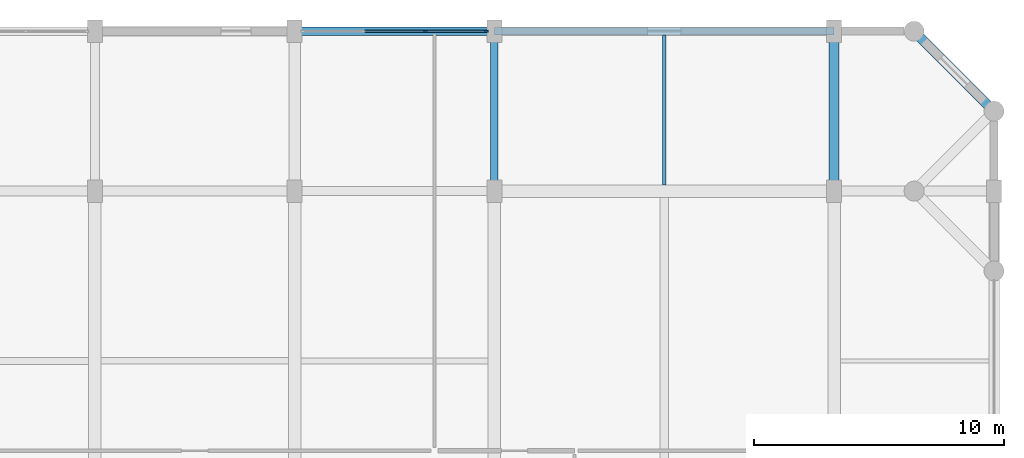
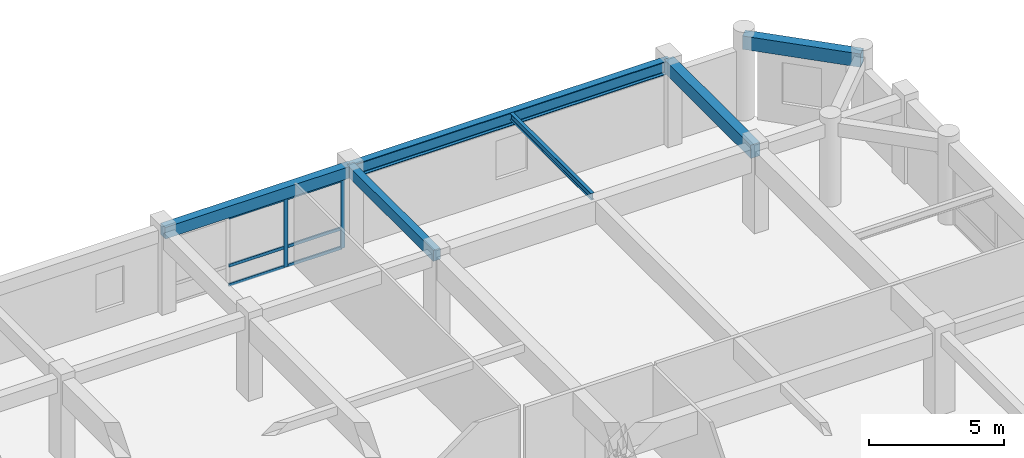
# One storey, part 15 of 27: 8 members, 6 beams, 1 element without a shape of its own.
"""IFC4 building model written with IfcOpenShell, lengths in metres."""

from ifc_helpers import new_model, si_unit, direction, frame, origin, origin_2d, place, context, subcontext, project, spatial, rectangle, i_section, extrude, material, material_profile, profile_set, type_object, element, aggregate, save


model = new_model("IFC4")

# Units and contexts
model_context = context("Model", 3, precision=1e-05, world=origin(), true_north=direction((0.0, 1.0)))
body_context = subcontext(model_context, "Body", "Model", "MODEL_VIEW")
ifc_project = project(units=[si_unit("LENGTHUNIT", "METRE"), si_unit("AREAUNIT", "SQUARE_METRE"), si_unit("VOLUMEUNIT", "CUBIC_METRE"), si_unit("PLANEANGLEUNIT", "RADIAN"), si_unit("MASSUNIT", "GRAM", prefix="KILO")], contexts=[model_context])

# Site, building, storey
site_placement = place(None, origin())
site = spatial("IfcSite", under=ifc_project, at=site_placement, CompositionType="ELEMENT")
building_placement = place(site_placement, origin())
building = spatial("IfcBuilding", under=site, at=building_placement, Name="Vellmiral Cinema and Media Centre", CompositionType="ELEMENT")
storey_placement = place(building_placement, frame((0.0, 0.0, 19.800048828125)))
storey = spatial("IfcBuildingStorey", under=building, at=storey_placement, Name="L04", CompositionType="ELEMENT", Elevation=19.800048828125)

# Beams
ifc_material_1 = material(Name="Concrete C40/50", Category="concrete")
ifc_material_profile_1 = material_profile(ifc_material_1, rectangle(XDim=0.300048828125, YDim=0.5, at=origin_2d()), Name="RC 300x500")
ifc_profile_set_1 = profile_set([ifc_material_profile_1], Name="Concrete C40/50")
beam_type_1 = type_object("IfcBeamType", Name="BM-RC-300x500", PredefinedType="BEAM", material=ifc_profile_set_1)
beam_1_placement = place(storey_placement, frame((148.0, 108.800048828125, 3.445068359375), z_axis=(0.0, 1.0, 0.0), x_axis=(-1.0, 0.0, 0.0)))
element("IfcBeam", 1, at=beam_1_placement, inside=storey, type_object=beam_type_1, Name="Grid Beam L04-Y102", PredefinedType="BEAM", context=body_context, shape_type="SweptSolid", body=[
    extrude(rectangle(XDim=0.300048828125, YDim=0.5, at=origin_2d()), origin(), (0.0, 0.0, 1.0), 6.39990234375),
])
ifc_material_2 = material(Name="Concrete C40/50", Category="concrete")
ifc_material_profile_2 = material_profile(ifc_material_2, rectangle(XDim=0.39990234375, YDim=0.60009765625, at=origin_2d()), Name="RC 400x600")
ifc_profile_set_2 = profile_set([ifc_material_profile_2], Name="Concrete C40/50")
beam_type_2 = type_object("IfcBeamType", Name="BM-RC-400x600", PredefinedType="BEAM", material=ifc_profile_set_2)
beam_2_placement = place(storey_placement, frame((161.60009765625, 108.800048828125, 3.39501953125), z_axis=(0.0, 1.0, 0.0), x_axis=(-1.0, 0.0, 0.0)))
element("IfcBeam", 2, at=beam_2_placement, inside=storey, type_object=beam_type_2, Name="Grid Beam L04-Y109", PredefinedType="BEAM", context=body_context, shape_type="SweptSolid", body=[
    extrude(rectangle(XDim=0.39990234375, YDim=0.60009765625, at=origin_2d()), origin(), (0.0, 0.0, 1.0), 6.39990234375),
])

# Curtain wall, members
ifc_material_3 = material(Name="Thermally Broken Aluminium and Triple Glazing", Category="aluminium")
curtain_wall_type = type_object("IfcCurtainWallType", Name="CW-TOWER-LOW-S", PredefinedType="USERDEFINED", material=ifc_material_3)
curtain_wall_placement = place(storey_placement, origin())
curtain_wall = element("IfcCurtainWall", 3, at=curtain_wall_placement, inside=storey, type_object=curtain_wall_type, Name="Curtain Wall L04-B023", ObjectType="UNITISED CURTAIN WALL", PredefinedType="USERDEFINED")
ifc_material_4 = material(Name="Thermally Broken Anodised Aluminium", Category="aluminium")
ifc_material_profile_3 = material_profile(ifc_material_4, rectangle(XDim=0.06494140625, YDim=0.159912109375, at=origin_2d()), Name="MULL 65x160")
ifc_profile_set_3 = profile_set([ifc_material_profile_3], Name="Thermally Broken Anodised Aluminium")
member_type_1 = type_object("IfcMemberType", Name="CWM-65x160", PredefinedType="MULLION", material=ifc_profile_set_3)
member_1_placement = place(storey_placement, frame((147.66748046875, 115.199951171875, 0.0), z_axis=(0.0, 0.0, 1.0), x_axis=(0.0, -1.0, 0.0)))
member_1 = element("IfcMember", 4, at=member_1_placement, type_object=member_type_1, Name="CW-06 mullion 1", PredefinedType="MULLION", context=body_context, shape_type="SweptSolid", body=[
    extrude(rectangle(XDim=0.06494140625, YDim=0.159912109375, at=origin_2d()), origin(), (0.0, 0.0, 1.0), 3.099853515625),
])
member_2_placement = place(storey_placement, frame((145.2333984375, 115.199951171875, 0.0), z_axis=(0.0, 0.0, 1.0), x_axis=(0.0, -1.0, 0.0)))
member_2 = element("IfcMember", 5, at=member_2_placement, type_object=member_type_1, Name="CW-06 mullion 2", PredefinedType="MULLION", context=body_context, shape_type="SweptSolid", body=[
    extrude(rectangle(XDim=0.06494140625, YDim=0.159912109375, at=origin_2d()), origin(), (0.0, 0.0, 1.0), 3.099853515625),
])
ifc_material_5 = material(Name="Thermally Broken Anodised Aluminium", Category="aluminium")
ifc_material_profile_4 = material_profile(ifc_material_5, rectangle(XDim=0.06494140625, YDim=0.135009765625, at=origin_2d()), Name="MULL 65x135")
ifc_profile_set_4 = profile_set([ifc_material_profile_4], Name="Thermally Broken Anodised Aluminium")
member_type_2 = type_object("IfcMemberType", Name="CWT-65x135", PredefinedType="USERDEFINED", material=ifc_profile_set_4)
member_3_placement = place(storey_placement, frame((147.635009765625, 115.199951171875, 0.032470703125), z_axis=(-1.0, 0.0, 0.0), x_axis=(0.0, -1.0, 0.0)))
member_3 = element("IfcMember", 6, at=member_3_placement, type_object=member_type_2, Name="CW-06 transom 1.1", ObjectType="TRANSOM", PredefinedType="USERDEFINED", context=body_context, shape_type="SweptSolid", body=[
    extrude(rectangle(XDim=0.06494140625, YDim=0.135009765625, at=origin_2d()), origin(), (0.0, 0.0, 1.0), 2.369140625),
])
member_4_placement = place(storey_placement, frame((147.635009765625, 115.199951171875, 0.89990234375), z_axis=(-1.0, 0.0, 0.0), x_axis=(0.0, -1.0, 0.0)))
member_4 = element("IfcMember", 7, at=member_4_placement, type_object=member_type_2, Name="CW-06 transom 1.2", ObjectType="TRANSOM", PredefinedType="USERDEFINED", context=body_context, shape_type="SweptSolid", body=[
    extrude(rectangle(XDim=0.06494140625, YDim=0.135009765625, at=origin_2d()), origin(), (0.0, 0.0, 1.0), 2.369140625),
])
member_5_placement = place(storey_placement, frame((147.635009765625, 115.199951171875, 3.0673828125), z_axis=(-1.0, 0.0, 0.0), x_axis=(0.0, -1.0, 0.0)))
member_5 = element("IfcMember", 8, at=member_5_placement, type_object=member_type_2, Name="CW-06 transom 1.3", ObjectType="TRANSOM", PredefinedType="USERDEFINED", context=body_context, shape_type="SweptSolid", body=[
    extrude(rectangle(XDim=0.06494140625, YDim=0.135009765625, at=origin_2d()), origin(), (0.0, 0.0, 1.0), 2.369140625),
])
member_6_placement = place(storey_placement, frame((145.200927734375, 115.199951171875, 0.032470703125), z_axis=(-1.0, 0.0, 0.0), x_axis=(0.0, -1.0, 0.0)))
member_6 = element("IfcMember", 9, at=member_6_placement, type_object=member_type_2, Name="CW-06 transom 2.1", ObjectType="TRANSOM", PredefinedType="USERDEFINED", context=body_context, shape_type="SweptSolid", body=[
    extrude(rectangle(XDim=0.06494140625, YDim=0.135009765625, at=origin_2d()), origin(), (0.0, 0.0, 1.0), 2.40185546875),
])
member_7_placement = place(storey_placement, frame((145.200927734375, 115.199951171875, 0.89990234375), z_axis=(-1.0, 0.0, 0.0), x_axis=(0.0, -1.0, 0.0)))
member_7 = element("IfcMember", 10, at=member_7_placement, type_object=member_type_2, Name="CW-06 transom 2.2", ObjectType="TRANSOM", PredefinedType="USERDEFINED", context=body_context, shape_type="SweptSolid", body=[
    extrude(rectangle(XDim=0.06494140625, YDim=0.135009765625, at=origin_2d()), origin(), (0.0, 0.0, 1.0), 2.40185546875),
])
member_8_placement = place(storey_placement, frame((145.200927734375, 115.199951171875, 3.0673828125), z_axis=(-1.0, 0.0, 0.0), x_axis=(0.0, -1.0, 0.0)))
member_8 = element("IfcMember", 11, at=member_8_placement, type_object=member_type_2, Name="CW-06 transom 2.3", ObjectType="TRANSOM", PredefinedType="USERDEFINED", context=body_context, shape_type="SweptSolid", body=[
    extrude(rectangle(XDim=0.06494140625, YDim=0.135009765625, at=origin_2d()), origin(), (0.0, 0.0, 1.0), 2.40185546875),
])
aggregate(curtain_wall, [member_1, member_2, member_3, member_4, member_5, member_6, member_7, member_8])

# Beams
ifc_material_6 = material(Name="Steel S355", Category="steel")
ifc_material_profile_5 = material_profile(ifc_material_6, i_section(OverallWidth=0.300048828125, OverallDepth=0.60009765625, WebThickness=0.015380859375, FlangeThickness=0.030029296875, FilletRadius=0.027099609375, at=origin_2d()), Name="HEB 600")
ifc_profile_set_5 = profile_set([ifc_material_profile_5], Name="Steel S355")
beam_type_3 = type_object("IfcBeamType", Name="SBM-HEB600-SPD", PredefinedType="SPANDREL", material=ifc_profile_set_5)
beam_3_placement = place(storey_placement, frame((148.0, 115.199951171875, 3.39501953125), z_axis=(1.0, 0.0, 0.0), x_axis=(0.0, 1.0, 0.0)))
element("IfcBeam", 12, at=beam_3_placement, inside=storey, type_object=beam_type_3, Name="Grid Beam L04-X060", PredefinedType="SPANDREL", context=body_context, shape_type="SweptSolid", body=[
    extrude(i_section(OverallWidth=0.300048828125, OverallDepth=0.60009765625, WebThickness=0.015380859375, FlangeThickness=0.030029296875, FilletRadius=0.027099609375, at=origin_2d()), origin(), (0.0, 0.0, 1.0), 13.60009765625),
])
ifc_material_7 = material(Name="Steel S355", Category="steel")
ifc_material_profile_6 = material_profile(ifc_material_7, i_section(OverallWidth=0.14990234375, OverallDepth=0.300048828125, WebThickness=0.007080078125, FlangeThickness=0.0107421875, FilletRadius=0.014892578125, at=origin_2d()), Name="IPE 300")
ifc_profile_set_6 = profile_set([ifc_material_profile_6], Name="Steel S355")
beam_type_4 = type_object("IfcBeamType", Name="SBM-IPE300", PredefinedType="JOIST", material=ifc_profile_set_6)
beam_4_placement = place(storey_placement, frame((154.800048828125, 109.050048828125, 3.544921875), z_axis=(0.0, 1.0, 0.0), x_axis=(-1.0, 0.0, 0.0)))
element("IfcBeam", 13, at=beam_4_placement, inside=storey, type_object=beam_type_4, Name="Secondary Floor Joist L04-012", PredefinedType="JOIST", context=body_context, shape_type="SweptSolid", body=[
    extrude(i_section(OverallWidth=0.14990234375, OverallDepth=0.300048828125, WebThickness=0.007080078125, FlangeThickness=0.0107421875, FilletRadius=0.014892578125, at=origin_2d()), origin(), (0.0, 0.0, 1.0), 6.0),
])
ifc_material_8 = material(Name="Concrete C40/50", Category="concrete")
ifc_material_profile_7 = material_profile(ifc_material_8, rectangle(XDim=0.39990234375, YDim=0.60009765625, at=origin_2d()), Name="RC 400x600")
ifc_profile_set_7 = profile_set([ifc_material_profile_7], Name="Concrete C40/50")
beam_type_5 = type_object("IfcBeamType", Name="SPD-RC-400x600", PredefinedType="SPANDREL", material=ifc_profile_set_7)
beam_5_placement = place(storey_placement, frame((164.800048828125, 115.199951171875, 3.39501953125), z_axis=(0.707106781187, -0.707106781187, 0.0), x_axis=(0.707106781187, 0.707106781187, 0.0)))
element("IfcBeam", 14, at=beam_5_placement, inside=storey, type_object=beam_type_5, Name="Xamfra Chamfer Spandrel Beam L04-120", PredefinedType="SPANDREL", context=body_context, shape_type="SweptSolid", body=[
    extrude(rectangle(XDim=0.39990234375, YDim=0.60009765625, at=origin_2d()), origin(), (0.0, 0.0, 1.0), 4.525390625),
])
ifc_material_9 = material(Name="Vosges Red Sandstone Masonry", Category="masonry")
ifc_material_profile_8 = material_profile(ifc_material_9, rectangle(XDim=0.340087890625, YDim=0.52001953125, at=origin_2d()), Name="SAND 340x520")
ifc_profile_set_8 = profile_set([ifc_material_profile_8], Name="Vosges Red Sandstone Masonry")
beam_type_6 = type_object("IfcBeamType", Name="SPD-SAND-340x520", PredefinedType="SPANDREL", material=ifc_profile_set_8)
beam_6_placement = place(storey_placement, frame((140.0, 115.199951171875, 3.43505859375), z_axis=(1.0, 0.0, 0.0), x_axis=(0.0, 1.0, 0.0)))
element("IfcBeam", 15, at=beam_6_placement, inside=storey, type_object=beam_type_6, Name="Grid Beam L04-X059", PredefinedType="SPANDREL", context=body_context, shape_type="SweptSolid", body=[
    extrude(rectangle(XDim=0.340087890625, YDim=0.52001953125, at=origin_2d()), origin(), (0.0, 0.0, 1.0), 8.0),
])

save(model, "model.ifc")
